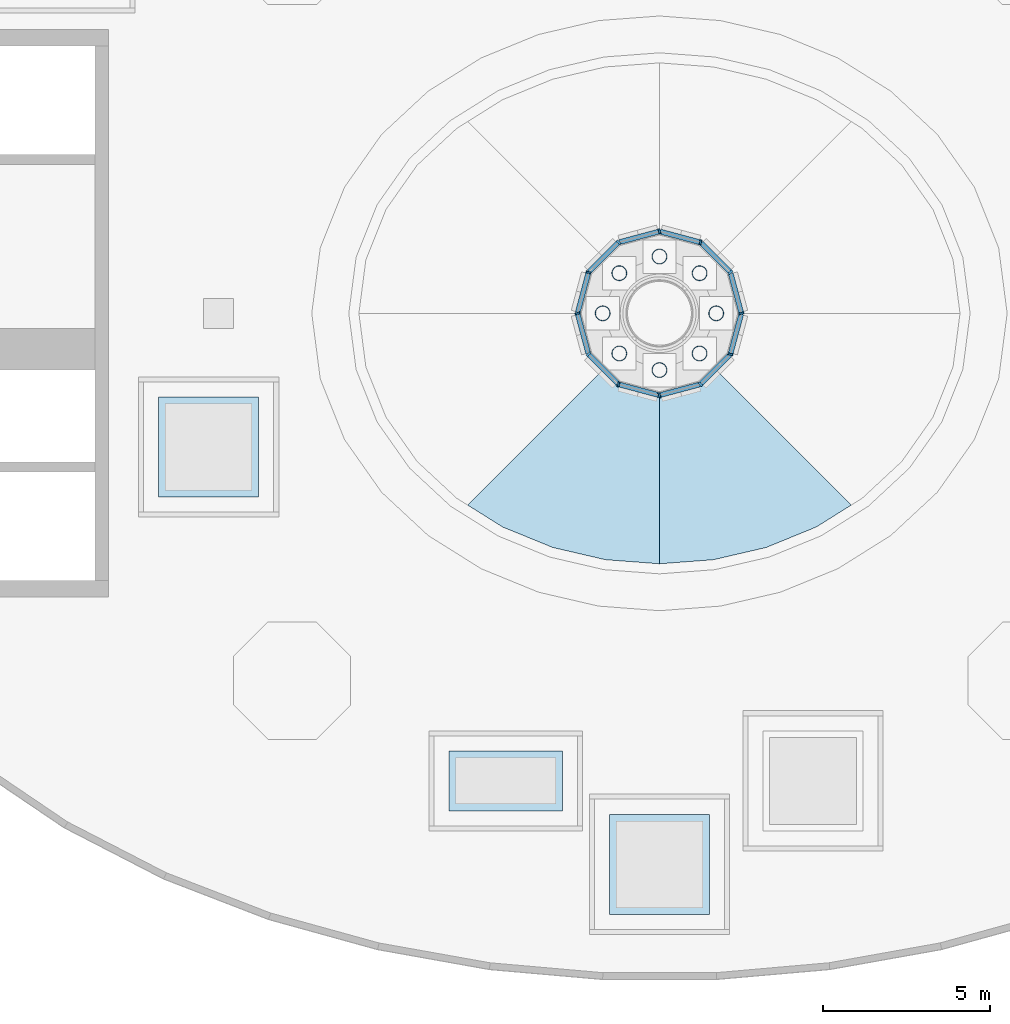
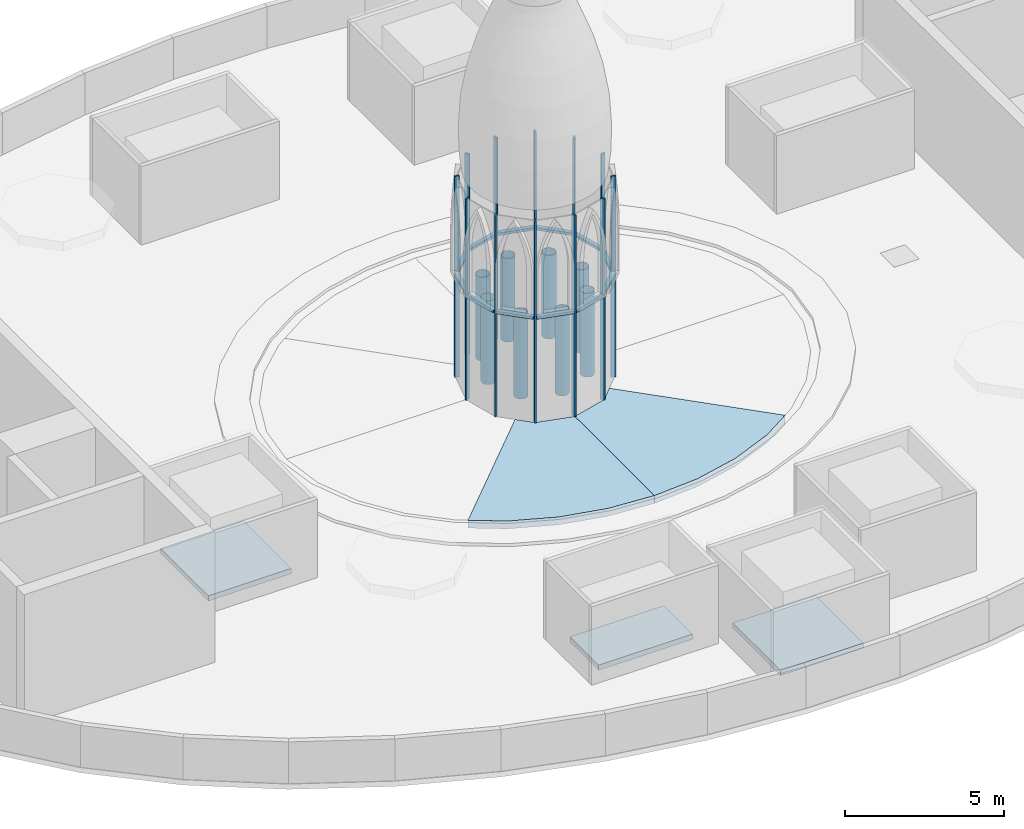
# One storey, part 1 of 7: 24 members, 8 columns, 5 slabs, 12 elements without a shape of their own.
"""IFC4 building model written with IfcOpenShell, lengths in metres."""

from ifc_helpers import new_model, si_unit, direction, frame, origin, origin_2d, place, context, subcontext, project, spatial, polyline, rectangle, hollow_circle, outline, extrude, material, layer, layer_set, material_profile, profile_set, type_object, element, aggregate, save


model = new_model("IFC4")

# Units and contexts
model_context = context("Model", 3, precision=1e-05, world=origin(), true_north=direction((0.0, 1.0)))
body_context = subcontext(model_context, "Body", "Model", "MODEL_VIEW")
ifc_project = project(units=[si_unit("LENGTHUNIT", "METRE"), si_unit("AREAUNIT", "SQUARE_METRE"), si_unit("VOLUMEUNIT", "CUBIC_METRE"), si_unit("PLANEANGLEUNIT", "RADIAN"), si_unit("MASSUNIT", "GRAM", prefix="KILO")], contexts=[model_context])

# Site, building, storey
site_placement = place(None, origin())
site = spatial("IfcSite", under=ifc_project, at=site_placement, CompositionType="ELEMENT")
building_placement = place(site_placement, origin())
building = spatial("IfcBuilding", under=site, at=building_placement, Name="Noorbagh Ring Tower", CompositionType="ELEMENT")
storey_placement = place(building_placement, frame((0.0, 0.0, 356.5)))
storey = spatial("IfcBuildingStorey", under=building, at=storey_placement, Name="L78", CompositionType="ELEMENT", Elevation=356.5)

# Columns
ifc_material_1 = material(Name="Steel S460", Category="steel")
ifc_material_profile_1 = material_profile(ifc_material_1, hollow_circle(Radius=0.228515625, WallThickness=0.02001953125, at=origin_2d()), Name="CHS457x20")
ifc_profile_set_1 = profile_set([ifc_material_profile_1], Name="Steel S460")
column_type = type_object("IfcColumnType", Name="STR-DRUM-POST-CHS457x20-S460", PredefinedType="COLUMN", material=ifc_profile_set_1)
for number, where, z_axis, x_axis, name in (
    (1, (1.699951171875, 0.0, 0.449951171875), (0.0, 0.0, 1.0), (1.0, 0.0, 0.0), "Drum post"),
    (2, (1.2021484375, 1.2021484375, 0.449951171875), (0.0, 0.0, 1.0), (1.0, 0.0, 0.0), "Drum post"),
    (3, (0.0, 1.699951171875, 0.449951171875), (0.0, 0.0, 1.0), (1.0, 0.0, 0.0), "Drum post"),
    (4, (-1.2021484375, 1.2021484375, 0.449951171875), (0.0, 0.0, 1.0), (1.0, 0.0, 0.0), "Drum post"),
    (5, (-1.699951171875, 0.0, 0.449951171875), (0.0, 0.0, 1.0), (1.0, 0.0, 0.0), "Drum post"),
    (6, (-1.2021484375, -1.2021484375, 0.449951171875), (0.0, 0.0, 1.0), (1.0, 0.0, 0.0), "Drum post"),
    (7, (0.0, -1.699951171875, 0.449951171875), (0.0, 0.0, 1.0), (1.0, 0.0, 0.0), "Drum post"),
    (8, (1.2021484375, -1.2021484375, 0.449951171875), (0.0, 0.0, 1.0), (1.0, 0.0, 0.0), "Drum post"),
):
    element("IfcColumn", number, at=place(storey_placement, frame(where, z_axis=z_axis, x_axis=x_axis)), inside=storey, type_object=column_type, Name=name, PredefinedType="COLUMN", context=body_context, shape_type="SweptSolid", body=[
        extrude(hollow_circle(Radius=0.228515625, WallThickness=0.02001953125, at=origin_2d()), origin(), (0.0, 0.0, 1.0), 3.199951171875),
    ])

# Curtain wall, member
ifc_material_2 = material(Name="Aluminium 6063-T6 black anodised and glass", Category="aluminium")
ifc_layer_1 = layer(ifc_material_2, 0.14990234375)
ifc_layer_set_1 = layer_set([ifc_layer_1], Name="Aluminium 6063-T6 black anodised and glass")
curtain_wall_type = type_object("IfcCurtainWallType", Name="ENV-CW-D", PredefinedType="NOTDEFINED", material=ifc_layer_set_1)
curtain_wall_1_placement = place(storey_placement, origin())
curtain_wall_1 = element("IfcCurtainWall", 9, at=curtain_wall_1_placement, inside=storey, type_object=curtain_wall_type, Name="Curtain wall D drum 01", PredefinedType="NOTDEFINED")
ifc_material_3 = material(Name="Aluminium 6063-T6 black anodised", Category="aluminium")
ifc_material_profile_2 = material_profile(ifc_material_3, rectangle(XDim=0.14990234375, YDim=0.06005859375, at=origin_2d()), Name="150x60")
ifc_profile_set_2 = profile_set([ifc_material_profile_2], Name="Aluminium 6063-T6 black anodised")
member_type_1 = type_object("IfcMemberType", Name="ENV-MULLION-D", PredefinedType="MULLION", material=ifc_profile_set_2)
member_1_placement = place(storey_placement, frame((2.453369140625, 0.0, 0.0), z_axis=(0.0, 0.0, 1.0), x_axis=(-0.965925826289, -0.258819045103, 0.0)))
member_1 = element("IfcMember", 10, at=member_1_placement, type_object=member_type_1, Name="Mullion D chord 01", PredefinedType="MULLION", context=body_context, shape_type="SweptSolid", body=[
    extrude(rectangle(XDim=0.14990234375, YDim=0.06005859375, at=origin_2d()), origin(), (0.0, 0.0, 1.0), 7.699951171875),
])

curtain_wall_2_placement = place(storey_placement, origin())
curtain_wall_2 = element("IfcCurtainWall", 11, at=curtain_wall_2_placement, inside=storey, type_object=curtain_wall_type, Name="Curtain wall D drum 02", PredefinedType="NOTDEFINED")
member_2_placement = place(storey_placement, frame((2.124755859375, 1.226806640625, 0.0), z_axis=(0.0, 0.0, 1.0), x_axis=(-0.707106781187, -0.707106781187, 0.0)))
member_2 = element("IfcMember", 12, at=member_2_placement, type_object=member_type_1, Name="Mullion D chord 02", PredefinedType="MULLION", context=body_context, shape_type="SweptSolid", body=[
    extrude(rectangle(XDim=0.14990234375, YDim=0.06005859375, at=origin_2d()), origin(), (0.0, 0.0, 1.0), 7.699951171875),
])

curtain_wall_3_placement = place(storey_placement, origin())
curtain_wall_3 = element("IfcCurtainWall", 13, at=curtain_wall_3_placement, inside=storey, type_object=curtain_wall_type, Name="Curtain wall D drum 03", PredefinedType="NOTDEFINED")
member_3_placement = place(storey_placement, frame((1.226806640625, 2.124755859375, 0.0), z_axis=(0.0, 0.0, 1.0), x_axis=(-0.258819045103, -0.965925826289, 0.0)))
member_3 = element("IfcMember", 14, at=member_3_placement, type_object=member_type_1, Name="Mullion D chord 03", PredefinedType="MULLION", context=body_context, shape_type="SweptSolid", body=[
    extrude(rectangle(XDim=0.14990234375, YDim=0.06005859375, at=origin_2d()), origin(), (0.0, 0.0, 1.0), 7.699951171875),
])

curtain_wall_4_placement = place(storey_placement, origin())
curtain_wall_4 = element("IfcCurtainWall", 15, at=curtain_wall_4_placement, inside=storey, type_object=curtain_wall_type, Name="Curtain wall D drum 04", PredefinedType="NOTDEFINED")
member_4_placement = place(storey_placement, frame((0.0, 2.453369140625, 0.0), z_axis=(0.0, 0.0, 1.0), x_axis=(0.258819045103, -0.965925826289, 0.0)))
member_4 = element("IfcMember", 16, at=member_4_placement, type_object=member_type_1, Name="Mullion D chord 04", PredefinedType="MULLION", context=body_context, shape_type="SweptSolid", body=[
    extrude(rectangle(XDim=0.14990234375, YDim=0.06005859375, at=origin_2d()), origin(), (0.0, 0.0, 1.0), 7.699951171875),
])

curtain_wall_5_placement = place(storey_placement, origin())
curtain_wall_5 = element("IfcCurtainWall", 17, at=curtain_wall_5_placement, inside=storey, type_object=curtain_wall_type, Name="Curtain wall D drum 05", PredefinedType="NOTDEFINED")
member_5_placement = place(storey_placement, frame((-1.226806640625, 2.124755859375, 0.0), z_axis=(0.0, 0.0, 1.0), x_axis=(0.707106781187, -0.707106781187, 0.0)))
member_5 = element("IfcMember", 18, at=member_5_placement, type_object=member_type_1, Name="Mullion D chord 05", PredefinedType="MULLION", context=body_context, shape_type="SweptSolid", body=[
    extrude(rectangle(XDim=0.14990234375, YDim=0.06005859375, at=origin_2d()), origin(), (0.0, 0.0, 1.0), 7.699951171875),
])

curtain_wall_6_placement = place(storey_placement, origin())
curtain_wall_6 = element("IfcCurtainWall", 19, at=curtain_wall_6_placement, inside=storey, type_object=curtain_wall_type, Name="Curtain wall D drum 06", PredefinedType="NOTDEFINED")
member_6_placement = place(storey_placement, frame((-2.124755859375, 1.226806640625, 0.0), z_axis=(0.0, 0.0, 1.0), x_axis=(0.965925826289, -0.258819045103, 0.0)))
member_6 = element("IfcMember", 20, at=member_6_placement, type_object=member_type_1, Name="Mullion D chord 06", PredefinedType="MULLION", context=body_context, shape_type="SweptSolid", body=[
    extrude(rectangle(XDim=0.14990234375, YDim=0.06005859375, at=origin_2d()), origin(), (0.0, 0.0, 1.0), 7.699951171875),
])

curtain_wall_7_placement = place(storey_placement, origin())
curtain_wall_7 = element("IfcCurtainWall", 21, at=curtain_wall_7_placement, inside=storey, type_object=curtain_wall_type, Name="Curtain wall D drum 07", PredefinedType="NOTDEFINED")
member_7_placement = place(storey_placement, frame((-2.453369140625, 0.0, 0.0), z_axis=(0.0, 0.0, 1.0), x_axis=(0.965925826289, 0.258819045103, 0.0)))
member_7 = element("IfcMember", 22, at=member_7_placement, type_object=member_type_1, Name="Mullion D chord 07", PredefinedType="MULLION", context=body_context, shape_type="SweptSolid", body=[
    extrude(rectangle(XDim=0.14990234375, YDim=0.06005859375, at=origin_2d()), origin(), (0.0, 0.0, 1.0), 7.699951171875),
])

curtain_wall_8_placement = place(storey_placement, origin())
curtain_wall_8 = element("IfcCurtainWall", 23, at=curtain_wall_8_placement, inside=storey, type_object=curtain_wall_type, Name="Curtain wall D drum 08", PredefinedType="NOTDEFINED")
member_8_placement = place(storey_placement, frame((-2.124755859375, -1.226806640625, 0.0), z_axis=(0.0, 0.0, 1.0), x_axis=(0.707106781187, 0.707106781187, 0.0)))
member_8 = element("IfcMember", 24, at=member_8_placement, type_object=member_type_1, Name="Mullion D chord 08", PredefinedType="MULLION", context=body_context, shape_type="SweptSolid", body=[
    extrude(rectangle(XDim=0.14990234375, YDim=0.06005859375, at=origin_2d()), origin(), (0.0, 0.0, 1.0), 7.699951171875),
])

curtain_wall_9_placement = place(storey_placement, origin())
curtain_wall_9 = element("IfcCurtainWall", 25, at=curtain_wall_9_placement, inside=storey, type_object=curtain_wall_type, Name="Curtain wall D drum 09", PredefinedType="NOTDEFINED")
member_9_placement = place(storey_placement, frame((-1.226806640625, -2.124755859375, 0.0), z_axis=(0.0, 0.0, 1.0), x_axis=(0.258819045103, 0.965925826289, 0.0)))
member_9 = element("IfcMember", 26, at=member_9_placement, type_object=member_type_1, Name="Mullion D chord 09", PredefinedType="MULLION", context=body_context, shape_type="SweptSolid", body=[
    extrude(rectangle(XDim=0.14990234375, YDim=0.06005859375, at=origin_2d()), origin(), (0.0, 0.0, 1.0), 7.699951171875),
])

curtain_wall_10_placement = place(storey_placement, origin())
curtain_wall_10 = element("IfcCurtainWall", 27, at=curtain_wall_10_placement, inside=storey, type_object=curtain_wall_type, Name="Curtain wall D drum 10", PredefinedType="NOTDEFINED")
member_10_placement = place(storey_placement, frame((0.0, -2.453369140625, 0.0), z_axis=(0.0, 0.0, 1.0), x_axis=(-0.258819045103, 0.965925826289, 0.0)))
member_10 = element("IfcMember", 28, at=member_10_placement, type_object=member_type_1, Name="Mullion D chord 10", PredefinedType="MULLION", context=body_context, shape_type="SweptSolid", body=[
    extrude(rectangle(XDim=0.14990234375, YDim=0.06005859375, at=origin_2d()), origin(), (0.0, 0.0, 1.0), 7.699951171875),
])

curtain_wall_11_placement = place(storey_placement, origin())
curtain_wall_11 = element("IfcCurtainWall", 29, at=curtain_wall_11_placement, inside=storey, type_object=curtain_wall_type, Name="Curtain wall D drum 11", PredefinedType="NOTDEFINED")
member_11_placement = place(storey_placement, frame((1.226806640625, -2.124755859375, 0.0), z_axis=(0.0, 0.0, 1.0), x_axis=(-0.707106781187, 0.707106781187, 0.0)))
member_11 = element("IfcMember", 30, at=member_11_placement, type_object=member_type_1, Name="Mullion D chord 11", PredefinedType="MULLION", context=body_context, shape_type="SweptSolid", body=[
    extrude(rectangle(XDim=0.14990234375, YDim=0.06005859375, at=origin_2d()), origin(), (0.0, 0.0, 1.0), 7.699951171875),
])

curtain_wall_12_placement = place(storey_placement, origin())
curtain_wall_12 = element("IfcCurtainWall", 31, at=curtain_wall_12_placement, inside=storey, type_object=curtain_wall_type, Name="Curtain wall D drum 12", PredefinedType="NOTDEFINED")
member_12_placement = place(storey_placement, frame((2.124755859375, -1.226806640625, 0.0), z_axis=(0.0, 0.0, 1.0), x_axis=(-0.965925826289, 0.258819045103, 0.0)))
member_12 = element("IfcMember", 32, at=member_12_placement, type_object=member_type_1, Name="Mullion D chord 12", PredefinedType="MULLION", context=body_context, shape_type="SweptSolid", body=[
    extrude(rectangle(XDim=0.14990234375, YDim=0.06005859375, at=origin_2d()), origin(), (0.0, 0.0, 1.0), 7.699951171875),
])

# Member
ifc_material_4 = material(Name="Aluminium 6063-T6 black anodised", Category="aluminium")
ifc_material_profile_3 = material_profile(ifc_material_4, rectangle(XDim=0.14990234375, YDim=0.10009765625, at=origin_2d()), Name="150x100")
ifc_profile_set_3 = profile_set([ifc_material_profile_3], Name="Aluminium 6063-T6 black anodised")
member_type_2 = type_object("IfcMemberType", Name="ENV-TRANSOM-D", PredefinedType="USERDEFINED", material=ifc_profile_set_3)
placement = place(building_placement, frame((0.0, 0.0, 360.14990234375)))
member_13_placement = place(placement, frame((2.446044921875, 0.027099609375, 0.35009765625), z_axis=(-0.258638905369, 0.965974076583, 0.0), x_axis=(-0.965974076583, -0.258638905369, 0.0)))
member_13 = element("IfcMember", 33, at=member_13_placement, type_object=member_type_2, Name="Transom D chord 01", ObjectType="TRANSOM", PredefinedType="USERDEFINED", context=body_context, shape_type="SweptSolid", body=[
    extrude(rectangle(XDim=0.14990234375, YDim=0.10009765625, at=origin_2d()), origin(), (0.0, 0.0, 1.0), 1.2138671875),
])

aggregate(curtain_wall_1, [member_1, member_13])

member_14_placement = place(placement, frame((2.10498046875, 1.24658203125, 0.35009765625), z_axis=(-0.707106781187, 0.707106781187, 0.0), x_axis=(-0.707106781187, -0.707106781187, 0.0)))
member_14 = element("IfcMember", 34, at=member_14_placement, type_object=member_type_2, Name="Transom D chord 02", ObjectType="TRANSOM", PredefinedType="USERDEFINED", context=body_context, shape_type="SweptSolid", body=[
    extrude(rectangle(XDim=0.14990234375, YDim=0.10009765625, at=origin_2d()), origin(), (0.0, 0.0, 1.0), 1.2138671875),
])

aggregate(curtain_wall_2, [member_2, member_14])

member_15_placement = place(placement, frame((1.19970703125, 2.132080078125, 0.35009765625), z_axis=(-0.965974076583, 0.258638905369, 0.0), x_axis=(-0.258638905369, -0.965974076583, 0.0)))
member_15 = element("IfcMember", 35, at=member_15_placement, type_object=member_type_2, Name="Transom D chord 03", ObjectType="TRANSOM", PredefinedType="USERDEFINED", context=body_context, shape_type="SweptSolid", body=[
    extrude(rectangle(XDim=0.14990234375, YDim=0.10009765625, at=origin_2d()), origin(), (0.0, 0.0, 1.0), 1.2138671875),
])

aggregate(curtain_wall_3, [member_3, member_15])

member_16_placement = place(placement, frame((-0.027099609375, 2.446044921875, 0.35009765625), z_axis=(-0.965974076583, -0.258638905369, 0.0), x_axis=(0.258638905369, -0.965974076583, 0.0)))
member_16 = element("IfcMember", 36, at=member_16_placement, type_object=member_type_2, Name="Transom D chord 04", ObjectType="TRANSOM", PredefinedType="USERDEFINED", context=body_context, shape_type="SweptSolid", body=[
    extrude(rectangle(XDim=0.14990234375, YDim=0.10009765625, at=origin_2d()), origin(), (0.0, 0.0, 1.0), 1.2138671875),
])

aggregate(curtain_wall_4, [member_4, member_16])

member_17_placement = place(placement, frame((-1.24658203125, 2.10498046875, 0.35009765625), z_axis=(-0.707106781187, -0.707106781187, 0.0), x_axis=(0.707106781187, -0.707106781187, 0.0)))
member_17 = element("IfcMember", 37, at=member_17_placement, type_object=member_type_2, Name="Transom D chord 05", ObjectType="TRANSOM", PredefinedType="USERDEFINED", context=body_context, shape_type="SweptSolid", body=[
    extrude(rectangle(XDim=0.14990234375, YDim=0.10009765625, at=origin_2d()), origin(), (0.0, 0.0, 1.0), 1.2138671875),
])

aggregate(curtain_wall_5, [member_5, member_17])

member_18_placement = place(placement, frame((-2.132080078125, 1.19970703125, 0.35009765625), z_axis=(-0.258638905369, -0.965974076583, 0.0), x_axis=(0.965974076583, -0.258638905369, 0.0)))
member_18 = element("IfcMember", 38, at=member_18_placement, type_object=member_type_2, Name="Transom D chord 06", ObjectType="TRANSOM", PredefinedType="USERDEFINED", context=body_context, shape_type="SweptSolid", body=[
    extrude(rectangle(XDim=0.14990234375, YDim=0.10009765625, at=origin_2d()), origin(), (0.0, 0.0, 1.0), 1.2138671875),
])

aggregate(curtain_wall_6, [member_6, member_18])

member_19_placement = place(placement, frame((-2.446044921875, -0.027099609375, 0.35009765625), z_axis=(0.258638905369, -0.965974076583, 0.0), x_axis=(0.965974076583, 0.258638905369, 0.0)))
member_19 = element("IfcMember", 39, at=member_19_placement, type_object=member_type_2, Name="Transom D chord 07", ObjectType="TRANSOM", PredefinedType="USERDEFINED", context=body_context, shape_type="SweptSolid", body=[
    extrude(rectangle(XDim=0.14990234375, YDim=0.10009765625, at=origin_2d()), origin(), (0.0, 0.0, 1.0), 1.2138671875),
])

aggregate(curtain_wall_7, [member_7, member_19])

member_20_placement = place(placement, frame((-2.10498046875, -1.24658203125, 0.35009765625), z_axis=(0.707106781187, -0.707106781187, 0.0), x_axis=(0.707106781187, 0.707106781187, 0.0)))
member_20 = element("IfcMember", 40, at=member_20_placement, type_object=member_type_2, Name="Transom D chord 08", ObjectType="TRANSOM", PredefinedType="USERDEFINED", context=body_context, shape_type="SweptSolid", body=[
    extrude(rectangle(XDim=0.14990234375, YDim=0.10009765625, at=origin_2d()), origin(), (0.0, 0.0, 1.0), 1.2138671875),
])

aggregate(curtain_wall_8, [member_8, member_20])

member_21_placement = place(placement, frame((-1.19970703125, -2.132080078125, 0.35009765625), z_axis=(0.965974076583, -0.258638905369, 0.0), x_axis=(0.258638905369, 0.965974076583, 0.0)))
member_21 = element("IfcMember", 41, at=member_21_placement, type_object=member_type_2, Name="Transom D chord 09", ObjectType="TRANSOM", PredefinedType="USERDEFINED", context=body_context, shape_type="SweptSolid", body=[
    extrude(rectangle(XDim=0.14990234375, YDim=0.10009765625, at=origin_2d()), origin(), (0.0, 0.0, 1.0), 1.2138671875),
])

aggregate(curtain_wall_9, [member_9, member_21])

member_22_placement = place(placement, frame((0.027099609375, -2.446044921875, 0.35009765625), z_axis=(0.965974076583, 0.258638905369, 0.0), x_axis=(-0.258638905369, 0.965974076583, 0.0)))
member_22 = element("IfcMember", 42, at=member_22_placement, type_object=member_type_2, Name="Transom D chord 10", ObjectType="TRANSOM", PredefinedType="USERDEFINED", context=body_context, shape_type="SweptSolid", body=[
    extrude(rectangle(XDim=0.14990234375, YDim=0.10009765625, at=origin_2d()), origin(), (0.0, 0.0, 1.0), 1.2138671875),
])

aggregate(curtain_wall_10, [member_10, member_22])

member_23_placement = place(placement, frame((1.24658203125, -2.10498046875, 0.35009765625), z_axis=(0.707106781187, 0.707106781187, 0.0), x_axis=(-0.707106781187, 0.707106781187, 0.0)))
member_23 = element("IfcMember", 43, at=member_23_placement, type_object=member_type_2, Name="Transom D chord 11", ObjectType="TRANSOM", PredefinedType="USERDEFINED", context=body_context, shape_type="SweptSolid", body=[
    extrude(rectangle(XDim=0.14990234375, YDim=0.10009765625, at=origin_2d()), origin(), (0.0, 0.0, 1.0), 1.2138671875),
])

aggregate(curtain_wall_11, [member_11, member_23])

member_24_placement = place(placement, frame((2.132080078125, -1.19970703125, 0.35009765625), z_axis=(0.258638905369, 0.965974076583, 0.0), x_axis=(-0.965974076583, 0.258638905369, 0.0)))
member_24 = element("IfcMember", 44, at=member_24_placement, type_object=member_type_2, Name="Transom D chord 12", ObjectType="TRANSOM", PredefinedType="USERDEFINED", context=body_context, shape_type="SweptSolid", body=[
    extrude(rectangle(XDim=0.14990234375, YDim=0.10009765625, at=origin_2d()), origin(), (0.0, 0.0, 1.0), 1.2138671875),
])

aggregate(curtain_wall_12, [member_12, member_24])

# Slabs
ifc_material_5 = material(Name="Concrete C30/37", Category="concrete")
ifc_layer_2 = layer(ifc_material_5, 0.199951171875)
ifc_layer_set_2 = layer_set([ifc_layer_2], Name="Concrete C30/37")
slab_type_1 = type_object("IfcSlabType", Name="ENV-PLINTH", PredefinedType="FLOOR", material=ifc_layer_set_2)
for number, where, z_axis, x_axis, name in (
    (45, (-13.5, -4.0, 0.0), (0.0, 0.0, 1.0), (1.0, 0.0, 0.0), "Equipment plinth 2"),
    (46, (0.0, -16.5, 0.0), (0.0, 0.0, 1.0), (1.0, 0.0, 0.0), "Equipment plinth 4"),
):
    element("IfcSlab", number, at=place(storey_placement, frame(where, z_axis=z_axis, x_axis=x_axis)), inside=storey, type_object=slab_type_1, Name=name, PredefinedType="FLOOR", context=body_context, shape_type="SweptSolid", body=[
        extrude(rectangle(XDim=3.0, YDim=3.0, at=origin_2d()), origin(), (0.0, 0.0, 1.0), 0.199951171875),
    ])
slab_1_placement = place(storey_placement, frame((-4.60009765625, -14.0, 0.0), z_axis=(0.0, 0.0, 1.0), x_axis=(1.0, 0.0, 0.0)))
element("IfcSlab", 47, at=slab_1_placement, inside=storey, type_object=slab_type_1, Name="Equipment plinth 7", PredefinedType="FLOOR", context=body_context, shape_type="SweptSolid", body=[
    extrude(rectangle(XDim=3.39990234375, YDim=1.800048828125, at=origin_2d()), origin(), (0.0, 0.0, 1.0), 0.199951171875),
])
ifc_material_6 = material(Name="Laminated structural glass", Category="glass")
ifc_layer_3 = layer(ifc_material_6, 0.300048828125)
ifc_layer_set_3 = layer_set([ifc_layer_3], Name="Laminated structural glass")
slab_type_2 = type_object("IfcSlabType", Name="ENV-WELL-LID", PredefinedType="ROOF", material=ifc_layer_set_3)
slab_2_placement = place(storey_placement, frame((0.0, 0.0, -0.300048828125)))
element("IfcSlab", 48, at=slab_2_placement, inside=storey, type_object=slab_type_2, Name="Well glazing 6", PredefinedType="ROOF", context=body_context, shape_type="SweptSolid", body=[
    extrude(outline(polyline([(0.0, -7.5), (-1.6171875, -7.3779296875), (-3.196533203125, -7.010986328125), (-4.697509765625, -6.3974609375), (-5.742431640625, -5.742431640625), (-1.70751953125, -1.70751953125), (-1.25, -2.1650390625), (0.0, -2.5), (0.0, -7.5), (0.0, -7.5)])), origin(), (0.0, 0.0, 1.0), 0.300048828125),
])
slab_3_placement = place(storey_placement, frame((0.0, 0.0, -0.300048828125)))
element("IfcSlab", 49, at=slab_3_placement, inside=storey, type_object=slab_type_2, Name="Well glazing 7", PredefinedType="ROOF", context=body_context, shape_type="SweptSolid", body=[
    extrude(outline(polyline([(4.697509765625, -6.3974609375), (3.196533203125, -7.010986328125), (1.6171875, -7.3779296875), (0.0, -7.5), (0.0, -2.5), (1.25, -2.1650390625), (1.70751953125, -1.70751953125), (5.742431640625, -5.742431640625), (4.697509765625, -6.3974609375)])), origin(), (0.0, 0.0, 1.0), 0.300048828125),
])

save(model, "model.ifc")
